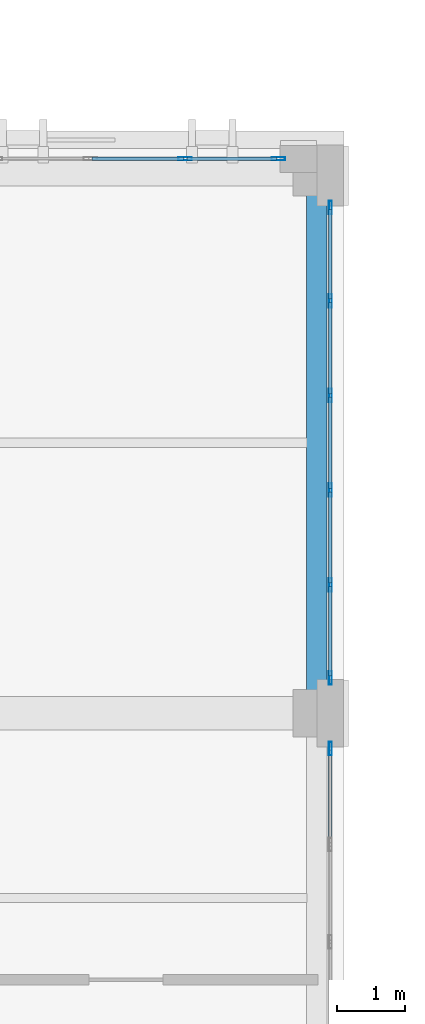
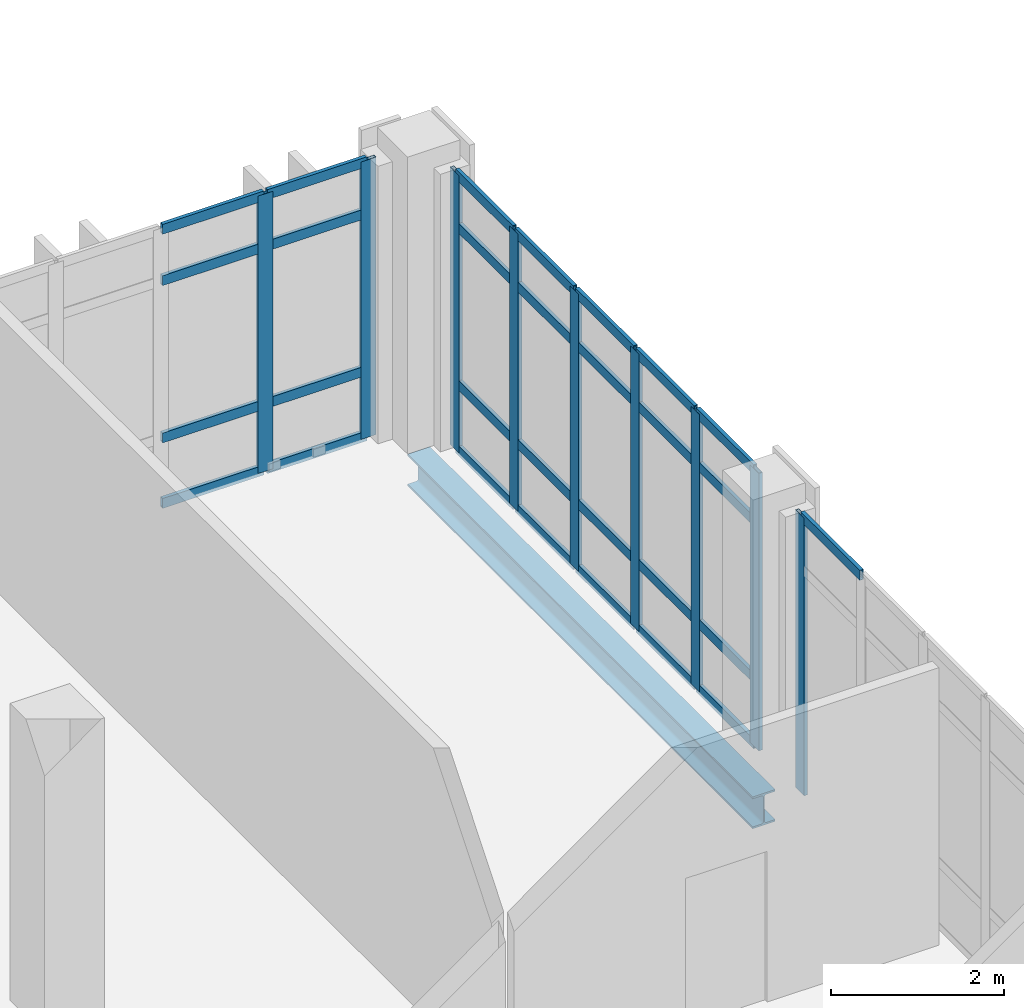
# One storey, part 53 of 158: 38 members, 1 beam, 3 elements without a shape of their own.
"""IFC4 building model written with IfcOpenShell, lengths in metres."""

from ifc_helpers import new_model, si_unit, direction, frame, origin, origin_2d, place, context, subcontext, project, spatial, hollow_rectangle, i_section, extrude, material, layer, layer_set, material_profile, profile_set, type_object, element, aggregate, save


model = new_model("IFC4")

# Units and contexts
model_context = context("Model", 3, precision=1e-05, world=origin(), true_north=direction((0.0, 1.0)))
body_context = subcontext(model_context, "Body", "Model", "MODEL_VIEW")
ifc_project = project(units=[si_unit("LENGTHUNIT", "METRE"), si_unit("AREAUNIT", "SQUARE_METRE"), si_unit("VOLUMEUNIT", "CUBIC_METRE"), si_unit("PLANEANGLEUNIT", "RADIAN"), si_unit("MASSUNIT", "GRAM", prefix="KILO")], contexts=[model_context])

# Site, building, storey
site_placement = place(None, origin())
site = spatial("IfcSite", under=ifc_project, at=site_placement, CompositionType="ELEMENT")
building_placement = place(site_placement, origin())
building = spatial("IfcBuilding", under=site, at=building_placement, Name="Qalavern Law Courts", CompositionType="ELEMENT")
storey_placement = place(building_placement, frame((0.0, 0.0, 18.60009765625)))
storey = spatial("IfcBuildingStorey", under=building, at=storey_placement, Name="L04", CompositionType="ELEMENT", Elevation=18.60009765625)

# Curtain wall, member
ifc_material_1 = material(Name="Anodised aluminium and insulated glazing", Category="aluminium")
ifc_layer = layer(ifc_material_1, 0.18505859375)
ifc_layer_set = layer_set([ifc_layer], Name="Anodised aluminium and insulated glazing")
curtain_wall_type = type_object("IfcCurtainWallType", Name="ENV-CW-HALL", PredefinedType="USERDEFINED", material=ifc_layer_set)
curtain_wall_1_placement = place(storey_placement, origin())
curtain_wall_1 = element("IfcCurtainWall", 1, at=curtain_wall_1_placement, inside=storey, type_object=curtain_wall_type, Name="V2 unitised curtain wall L04 east 2", ObjectType="UNITISED CURTAIN WALL", PredefinedType="USERDEFINED")
ifc_material_2 = material(Name="Anodised aluminium", Category="aluminium")
ifc_material_profile_1 = material_profile(ifc_material_2, hollow_rectangle(XDim=0.048095703125, YDim=0.199951171875, WallThickness=0.00439453125, at=origin_2d()), Name="ALU MULLION 48x200")
ifc_profile_set_1 = profile_set([ifc_material_profile_1], Name="Anodised aluminium")
member_type_1 = type_object("IfcMemberType", Name="ENV-CWM-48x200", PredefinedType="MULLION", material=ifc_profile_set_1)
member_1_placement = place(storey_placement, frame((101.0, 21.47607421875, 0.0), z_axis=(0.0, 0.0, 1.0), x_axis=(-1.0, 0.0, 0.0)))
member_1 = element("IfcMember", 2, at=member_1_placement, type_object=member_type_1, Name="CW-02 mullion 6", PredefinedType="MULLION", context=body_context, shape_type="SweptSolid", body=[
    extrude(hollow_rectangle(XDim=0.048095703125, YDim=0.199951171875, WallThickness=0.00439453125, at=origin_2d()), origin(), (0.0, 0.0, 1.0), 3.9248046875),
])

# Curtain wall, members
curtain_wall_2_placement = place(storey_placement, origin())
curtain_wall_2 = element("IfcCurtainWall", 3, at=curtain_wall_2_placement, inside=storey, type_object=curtain_wall_type, Name="V2 unitised curtain wall L04 east 3", ObjectType="UNITISED CURTAIN WALL", PredefinedType="USERDEFINED")
member_2_placement = place(storey_placement, frame((101.0, 22.52392578125, 0.0), z_axis=(0.0, 0.0, 1.0), x_axis=(-1.0, 0.0, 0.0)))
member_2 = element("IfcMember", 4, at=member_2_placement, type_object=member_type_1, Name="CW-02 mullion 1", PredefinedType="MULLION", context=body_context, shape_type="SweptSolid", body=[
    extrude(hollow_rectangle(XDim=0.048095703125, YDim=0.199951171875, WallThickness=0.00439453125, at=origin_2d()), origin(), (0.0, 0.0, 1.0), 3.9248046875),
])
member_3_placement = place(storey_placement, frame((101.0, 23.89990234375, 0.0), z_axis=(0.0, 0.0, 1.0), x_axis=(-1.0, 0.0, 0.0)))
member_3 = element("IfcMember", 5, at=member_3_placement, type_object=member_type_1, Name="CW-02 mullion 2", PredefinedType="MULLION", context=body_context, shape_type="SweptSolid", body=[
    extrude(hollow_rectangle(XDim=0.048095703125, YDim=0.199951171875, WallThickness=0.00439453125, at=origin_2d()), origin(), (0.0, 0.0, 1.0), 3.9248046875),
])
member_4_placement = place(storey_placement, frame((101.0, 25.300048828125, 0.0), z_axis=(0.0, 0.0, 1.0), x_axis=(-1.0, 0.0, 0.0)))
member_4 = element("IfcMember", 6, at=member_4_placement, type_object=member_type_1, Name="CW-02 mullion 3", PredefinedType="MULLION", context=body_context, shape_type="SweptSolid", body=[
    extrude(hollow_rectangle(XDim=0.048095703125, YDim=0.199951171875, WallThickness=0.00439453125, at=origin_2d()), origin(), (0.0, 0.0, 1.0), 3.9248046875),
])
member_5_placement = place(storey_placement, frame((101.0, 26.699951171875, 0.0), z_axis=(0.0, 0.0, 1.0), x_axis=(-1.0, 0.0, 0.0)))
member_5 = element("IfcMember", 7, at=member_5_placement, type_object=member_type_1, Name="CW-02 mullion 4", PredefinedType="MULLION", context=body_context, shape_type="SweptSolid", body=[
    extrude(hollow_rectangle(XDim=0.048095703125, YDim=0.199951171875, WallThickness=0.00439453125, at=origin_2d()), origin(), (0.0, 0.0, 1.0), 3.9248046875),
])
member_6_placement = place(storey_placement, frame((101.0, 28.10009765625, 0.0), z_axis=(0.0, 0.0, 1.0), x_axis=(-1.0, 0.0, 0.0)))
member_6 = element("IfcMember", 8, at=member_6_placement, type_object=member_type_1, Name="CW-02 mullion 5", PredefinedType="MULLION", context=body_context, shape_type="SweptSolid", body=[
    extrude(hollow_rectangle(XDim=0.048095703125, YDim=0.199951171875, WallThickness=0.00439453125, at=origin_2d()), origin(), (0.0, 0.0, 1.0), 3.9248046875),
])
member_7_placement = place(storey_placement, frame((101.0, 29.47607421875, 0.0), z_axis=(0.0, 0.0, 1.0), x_axis=(-1.0, 0.0, 0.0)))
member_7 = element("IfcMember", 9, at=member_7_placement, type_object=member_type_1, Name="CW-02 mullion 6", PredefinedType="MULLION", context=body_context, shape_type="SweptSolid", body=[
    extrude(hollow_rectangle(XDim=0.048095703125, YDim=0.199951171875, WallThickness=0.00439453125, at=origin_2d()), origin(), (0.0, 0.0, 1.0), 3.9248046875),
])

curtain_wall_3_placement = place(storey_placement, origin())
curtain_wall_3 = element("IfcCurtainWall", 10, at=curtain_wall_3_placement, inside=storey, type_object=curtain_wall_type, Name="V2 unitised curtain wall L04 north 1", ObjectType="UNITISED CURTAIN WALL", PredefinedType="USERDEFINED")
member_8_placement = place(storey_placement, frame((100.23095703125, 30.199951171875, 0.0), z_axis=(0.0, 0.0, 1.0), x_axis=(0.0, -1.0, 0.0)))
member_8 = element("IfcMember", 11, at=member_8_placement, type_object=member_type_1, Name="CW-02 mullion 1", PredefinedType="MULLION", context=body_context, shape_type="SweptSolid", body=[
    extrude(hollow_rectangle(XDim=0.048095703125, YDim=0.199951171875, WallThickness=0.00439453125, at=origin_2d()), origin(), (0.0, 0.0, 1.0), 3.9248046875),
])
member_9_placement = place(storey_placement, frame((98.853515625, 30.199951171875, 0.0), z_axis=(0.0, 0.0, 1.0), x_axis=(0.0, -1.0, 0.0)))
member_9 = element("IfcMember", 12, at=member_9_placement, type_object=member_type_1, Name="CW-02 mullion 2", PredefinedType="MULLION", context=body_context, shape_type="SweptSolid", body=[
    extrude(hollow_rectangle(XDim=0.048095703125, YDim=0.199951171875, WallThickness=0.00439453125, at=origin_2d()), origin(), (0.0, 0.0, 1.0), 3.9248046875),
])

# Member
ifc_material_profile_2 = material_profile(ifc_material_2, hollow_rectangle(XDim=0.048095703125, YDim=0.139892578125, WallThickness=0.00390625, at=origin_2d()), Name="ALU TRANSOM 48x140")
ifc_profile_set_2 = profile_set([ifc_material_profile_2], Name="Anodised aluminium")
member_type_2 = type_object("IfcMemberType", Name="ENV-CWT-48x140", PredefinedType="USERDEFINED", material=ifc_profile_set_2)
member_10_placement = place(storey_placement, frame((101.0, 20.083984375, 3.90087890625), z_axis=(0.0, 1.0, 0.0), x_axis=(-1.0, 0.0, 0.0)))
member_10 = element("IfcMember", 13, at=member_10_placement, type_object=member_type_2, Name="CW-02 transom 5.4", ObjectType="TRANSOM", PredefinedType="USERDEFINED", context=body_context, shape_type="SweptSolid", body=[
    extrude(hollow_rectangle(XDim=0.048095703125, YDim=0.139892578125, WallThickness=0.00390625, at=origin_2d()), origin(), (0.0, 0.0, 1.0), 1.367919921875),
])

aggregate(curtain_wall_1, [member_1, member_10])

member_11_placement = place(storey_placement, frame((101.0, 22.548095703125, 0.02392578125), z_axis=(0.0, 1.0, 0.0), x_axis=(-1.0, 0.0, 0.0)))
member_11 = element("IfcMember", 14, at=member_11_placement, type_object=member_type_2, Name="CW-02 transom 1.1", ObjectType="TRANSOM", PredefinedType="USERDEFINED", context=body_context, shape_type="SweptSolid", body=[
    extrude(hollow_rectangle(XDim=0.048095703125, YDim=0.139892578125, WallThickness=0.00390625, at=origin_2d()), origin(), (0.0, 0.0, 1.0), 1.327880859375),
])

member_12_placement = place(storey_placement, frame((101.0, 22.548095703125, 0.949951171875), z_axis=(0.0, 1.0, 0.0), x_axis=(-1.0, 0.0, 0.0)))
member_12 = element("IfcMember", 15, at=member_12_placement, type_object=member_type_2, Name="CW-02 transom 1.2", ObjectType="TRANSOM", PredefinedType="USERDEFINED", context=body_context, shape_type="SweptSolid", body=[
    extrude(hollow_rectangle(XDim=0.048095703125, YDim=0.139892578125, WallThickness=0.00390625, at=origin_2d()), origin(), (0.0, 0.0, 1.0), 1.327880859375),
])

member_13_placement = place(storey_placement, frame((101.0, 22.548095703125, 3.1748046875), z_axis=(0.0, 1.0, 0.0), x_axis=(-1.0, 0.0, 0.0)))
member_13 = element("IfcMember", 16, at=member_13_placement, type_object=member_type_2, Name="CW-02 transom 1.3", ObjectType="TRANSOM", PredefinedType="USERDEFINED", context=body_context, shape_type="SweptSolid", body=[
    extrude(hollow_rectangle(XDim=0.048095703125, YDim=0.139892578125, WallThickness=0.00390625, at=origin_2d()), origin(), (0.0, 0.0, 1.0), 1.327880859375),
])

member_14_placement = place(storey_placement, frame((101.0, 22.548095703125, 3.90087890625), z_axis=(0.0, 1.0, 0.0), x_axis=(-1.0, 0.0, 0.0)))
member_14 = element("IfcMember", 17, at=member_14_placement, type_object=member_type_2, Name="CW-02 transom 1.4", ObjectType="TRANSOM", PredefinedType="USERDEFINED", context=body_context, shape_type="SweptSolid", body=[
    extrude(hollow_rectangle(XDim=0.048095703125, YDim=0.139892578125, WallThickness=0.00390625, at=origin_2d()), origin(), (0.0, 0.0, 1.0), 1.327880859375),
])

member_15_placement = place(storey_placement, frame((101.0, 23.924072265625, 0.02392578125), z_axis=(0.0, 1.0, 0.0), x_axis=(-1.0, 0.0, 0.0)))
member_15 = element("IfcMember", 18, at=member_15_placement, type_object=member_type_2, Name="CW-02 transom 2.1", ObjectType="TRANSOM", PredefinedType="USERDEFINED", context=body_context, shape_type="SweptSolid", body=[
    extrude(hollow_rectangle(XDim=0.048095703125, YDim=0.139892578125, WallThickness=0.00390625, at=origin_2d()), origin(), (0.0, 0.0, 1.0), 1.351806640625),
])

member_16_placement = place(storey_placement, frame((101.0, 23.924072265625, 0.949951171875), z_axis=(0.0, 1.0, 0.0), x_axis=(-1.0, 0.0, 0.0)))
member_16 = element("IfcMember", 19, at=member_16_placement, type_object=member_type_2, Name="CW-02 transom 2.2", ObjectType="TRANSOM", PredefinedType="USERDEFINED", context=body_context, shape_type="SweptSolid", body=[
    extrude(hollow_rectangle(XDim=0.048095703125, YDim=0.139892578125, WallThickness=0.00390625, at=origin_2d()), origin(), (0.0, 0.0, 1.0), 1.351806640625),
])

member_17_placement = place(storey_placement, frame((101.0, 23.924072265625, 3.1748046875), z_axis=(0.0, 1.0, 0.0), x_axis=(-1.0, 0.0, 0.0)))
member_17 = element("IfcMember", 20, at=member_17_placement, type_object=member_type_2, Name="CW-02 transom 2.3", ObjectType="TRANSOM", PredefinedType="USERDEFINED", context=body_context, shape_type="SweptSolid", body=[
    extrude(hollow_rectangle(XDim=0.048095703125, YDim=0.139892578125, WallThickness=0.00390625, at=origin_2d()), origin(), (0.0, 0.0, 1.0), 1.351806640625),
])

member_18_placement = place(storey_placement, frame((101.0, 23.924072265625, 3.90087890625), z_axis=(0.0, 1.0, 0.0), x_axis=(-1.0, 0.0, 0.0)))
member_18 = element("IfcMember", 21, at=member_18_placement, type_object=member_type_2, Name="CW-02 transom 2.4", ObjectType="TRANSOM", PredefinedType="USERDEFINED", context=body_context, shape_type="SweptSolid", body=[
    extrude(hollow_rectangle(XDim=0.048095703125, YDim=0.139892578125, WallThickness=0.00390625, at=origin_2d()), origin(), (0.0, 0.0, 1.0), 1.351806640625),
])

member_19_placement = place(storey_placement, frame((101.0, 25.323974609375, 0.02392578125), z_axis=(0.0, 1.0, 0.0), x_axis=(-1.0, 0.0, 0.0)))
member_19 = element("IfcMember", 22, at=member_19_placement, type_object=member_type_2, Name="CW-02 transom 3.1", ObjectType="TRANSOM", PredefinedType="USERDEFINED", context=body_context, shape_type="SweptSolid", body=[
    extrude(hollow_rectangle(XDim=0.048095703125, YDim=0.139892578125, WallThickness=0.00390625, at=origin_2d()), origin(), (0.0, 0.0, 1.0), 1.35205078125),
])

member_20_placement = place(storey_placement, frame((101.0, 25.323974609375, 0.949951171875), z_axis=(0.0, 1.0, 0.0), x_axis=(-1.0, 0.0, 0.0)))
member_20 = element("IfcMember", 23, at=member_20_placement, type_object=member_type_2, Name="CW-02 transom 3.2", ObjectType="TRANSOM", PredefinedType="USERDEFINED", context=body_context, shape_type="SweptSolid", body=[
    extrude(hollow_rectangle(XDim=0.048095703125, YDim=0.139892578125, WallThickness=0.00390625, at=origin_2d()), origin(), (0.0, 0.0, 1.0), 1.35205078125),
])

member_21_placement = place(storey_placement, frame((101.0, 25.323974609375, 3.1748046875), z_axis=(0.0, 1.0, 0.0), x_axis=(-1.0, 0.0, 0.0)))
member_21 = element("IfcMember", 24, at=member_21_placement, type_object=member_type_2, Name="CW-02 transom 3.3", ObjectType="TRANSOM", PredefinedType="USERDEFINED", context=body_context, shape_type="SweptSolid", body=[
    extrude(hollow_rectangle(XDim=0.048095703125, YDim=0.139892578125, WallThickness=0.00390625, at=origin_2d()), origin(), (0.0, 0.0, 1.0), 1.35205078125),
])

member_22_placement = place(storey_placement, frame((101.0, 25.323974609375, 3.90087890625), z_axis=(0.0, 1.0, 0.0), x_axis=(-1.0, 0.0, 0.0)))
member_22 = element("IfcMember", 25, at=member_22_placement, type_object=member_type_2, Name="CW-02 transom 3.4", ObjectType="TRANSOM", PredefinedType="USERDEFINED", context=body_context, shape_type="SweptSolid", body=[
    extrude(hollow_rectangle(XDim=0.048095703125, YDim=0.139892578125, WallThickness=0.00390625, at=origin_2d()), origin(), (0.0, 0.0, 1.0), 1.35205078125),
])

member_23_placement = place(storey_placement, frame((101.0, 26.72412109375, 0.02392578125), z_axis=(0.0, 1.0, 0.0), x_axis=(-1.0, 0.0, 0.0)))
member_23 = element("IfcMember", 26, at=member_23_placement, type_object=member_type_2, Name="CW-02 transom 4.1", ObjectType="TRANSOM", PredefinedType="USERDEFINED", context=body_context, shape_type="SweptSolid", body=[
    extrude(hollow_rectangle(XDim=0.048095703125, YDim=0.139892578125, WallThickness=0.00390625, at=origin_2d()), origin(), (0.0, 0.0, 1.0), 1.351806640625),
])

member_24_placement = place(storey_placement, frame((101.0, 26.72412109375, 0.949951171875), z_axis=(0.0, 1.0, 0.0), x_axis=(-1.0, 0.0, 0.0)))
member_24 = element("IfcMember", 27, at=member_24_placement, type_object=member_type_2, Name="CW-02 transom 4.2", ObjectType="TRANSOM", PredefinedType="USERDEFINED", context=body_context, shape_type="SweptSolid", body=[
    extrude(hollow_rectangle(XDim=0.048095703125, YDim=0.139892578125, WallThickness=0.00390625, at=origin_2d()), origin(), (0.0, 0.0, 1.0), 1.351806640625),
])

member_25_placement = place(storey_placement, frame((101.0, 26.72412109375, 3.1748046875), z_axis=(0.0, 1.0, 0.0), x_axis=(-1.0, 0.0, 0.0)))
member_25 = element("IfcMember", 28, at=member_25_placement, type_object=member_type_2, Name="CW-02 transom 4.3", ObjectType="TRANSOM", PredefinedType="USERDEFINED", context=body_context, shape_type="SweptSolid", body=[
    extrude(hollow_rectangle(XDim=0.048095703125, YDim=0.139892578125, WallThickness=0.00390625, at=origin_2d()), origin(), (0.0, 0.0, 1.0), 1.351806640625),
])

member_26_placement = place(storey_placement, frame((101.0, 26.72412109375, 3.90087890625), z_axis=(0.0, 1.0, 0.0), x_axis=(-1.0, 0.0, 0.0)))
member_26 = element("IfcMember", 29, at=member_26_placement, type_object=member_type_2, Name="CW-02 transom 4.4", ObjectType="TRANSOM", PredefinedType="USERDEFINED", context=body_context, shape_type="SweptSolid", body=[
    extrude(hollow_rectangle(XDim=0.048095703125, YDim=0.139892578125, WallThickness=0.00390625, at=origin_2d()), origin(), (0.0, 0.0, 1.0), 1.351806640625),
])

member_27_placement = place(storey_placement, frame((101.0, 28.1240234375, 0.02392578125), z_axis=(0.0, 1.0, 0.0), x_axis=(-1.0, 0.0, 0.0)))
member_27 = element("IfcMember", 30, at=member_27_placement, type_object=member_type_2, Name="CW-02 transom 5.1", ObjectType="TRANSOM", PredefinedType="USERDEFINED", context=body_context, shape_type="SweptSolid", body=[
    extrude(hollow_rectangle(XDim=0.048095703125, YDim=0.139892578125, WallThickness=0.00390625, at=origin_2d()), origin(), (0.0, 0.0, 1.0), 1.327880859375),
])

member_28_placement = place(storey_placement, frame((101.0, 28.1240234375, 0.949951171875), z_axis=(0.0, 1.0, 0.0), x_axis=(-1.0, 0.0, 0.0)))
member_28 = element("IfcMember", 31, at=member_28_placement, type_object=member_type_2, Name="CW-02 transom 5.2", ObjectType="TRANSOM", PredefinedType="USERDEFINED", context=body_context, shape_type="SweptSolid", body=[
    extrude(hollow_rectangle(XDim=0.048095703125, YDim=0.139892578125, WallThickness=0.00390625, at=origin_2d()), origin(), (0.0, 0.0, 1.0), 1.327880859375),
])

member_29_placement = place(storey_placement, frame((101.0, 28.1240234375, 3.1748046875), z_axis=(0.0, 1.0, 0.0), x_axis=(-1.0, 0.0, 0.0)))
member_29 = element("IfcMember", 32, at=member_29_placement, type_object=member_type_2, Name="CW-02 transom 5.3", ObjectType="TRANSOM", PredefinedType="USERDEFINED", context=body_context, shape_type="SweptSolid", body=[
    extrude(hollow_rectangle(XDim=0.048095703125, YDim=0.139892578125, WallThickness=0.00390625, at=origin_2d()), origin(), (0.0, 0.0, 1.0), 1.327880859375),
])

member_30_placement = place(storey_placement, frame((101.0, 28.1240234375, 3.90087890625), z_axis=(0.0, 1.0, 0.0), x_axis=(-1.0, 0.0, 0.0)))
member_30 = element("IfcMember", 33, at=member_30_placement, type_object=member_type_2, Name="CW-02 transom 5.4", ObjectType="TRANSOM", PredefinedType="USERDEFINED", context=body_context, shape_type="SweptSolid", body=[
    extrude(hollow_rectangle(XDim=0.048095703125, YDim=0.139892578125, WallThickness=0.00390625, at=origin_2d()), origin(), (0.0, 0.0, 1.0), 1.327880859375),
])

aggregate(curtain_wall_2, [member_2, member_3, member_4, member_5, member_6, member_7, member_11, member_12, member_13, member_14, member_15, member_16, member_17, member_18, member_19, member_20, member_21, member_22, member_23, member_24, member_25, member_26, member_27, member_28, member_29, member_30])

member_31_placement = place(storey_placement, frame((100.20703125, 30.199951171875, 0.02392578125), z_axis=(-1.0, 0.0, 0.0), x_axis=(0.0, -1.0, 0.0)))
member_31 = element("IfcMember", 34, at=member_31_placement, type_object=member_type_2, Name="CW-02 transom 1.1", ObjectType="TRANSOM", PredefinedType="USERDEFINED", context=body_context, shape_type="SweptSolid", body=[
    extrude(hollow_rectangle(XDim=0.048095703125, YDim=0.139892578125, WallThickness=0.00390625, at=origin_2d()), origin(), (0.0, 0.0, 1.0), 1.32958984375),
])

member_32_placement = place(storey_placement, frame((100.20703125, 30.199951171875, 0.949951171875), z_axis=(-1.0, 0.0, 0.0), x_axis=(0.0, -1.0, 0.0)))
member_32 = element("IfcMember", 35, at=member_32_placement, type_object=member_type_2, Name="CW-02 transom 1.2", ObjectType="TRANSOM", PredefinedType="USERDEFINED", context=body_context, shape_type="SweptSolid", body=[
    extrude(hollow_rectangle(XDim=0.048095703125, YDim=0.139892578125, WallThickness=0.00390625, at=origin_2d()), origin(), (0.0, 0.0, 1.0), 1.32958984375),
])

member_33_placement = place(storey_placement, frame((100.20703125, 30.199951171875, 3.1748046875), z_axis=(-1.0, 0.0, 0.0), x_axis=(0.0, -1.0, 0.0)))
member_33 = element("IfcMember", 36, at=member_33_placement, type_object=member_type_2, Name="CW-02 transom 1.3", ObjectType="TRANSOM", PredefinedType="USERDEFINED", context=body_context, shape_type="SweptSolid", body=[
    extrude(hollow_rectangle(XDim=0.048095703125, YDim=0.139892578125, WallThickness=0.00390625, at=origin_2d()), origin(), (0.0, 0.0, 1.0), 1.32958984375),
])

member_34_placement = place(storey_placement, frame((100.20703125, 30.199951171875, 3.90087890625), z_axis=(-1.0, 0.0, 0.0), x_axis=(0.0, -1.0, 0.0)))
member_34 = element("IfcMember", 37, at=member_34_placement, type_object=member_type_2, Name="CW-02 transom 1.4", ObjectType="TRANSOM", PredefinedType="USERDEFINED", context=body_context, shape_type="SweptSolid", body=[
    extrude(hollow_rectangle(XDim=0.048095703125, YDim=0.139892578125, WallThickness=0.00390625, at=origin_2d()), origin(), (0.0, 0.0, 1.0), 1.32958984375),
])

member_35_placement = place(storey_placement, frame((98.829345703125, 30.199951171875, 0.02392578125), z_axis=(-1.0, 0.0, 0.0), x_axis=(0.0, -1.0, 0.0)))
member_35 = element("IfcMember", 38, at=member_35_placement, type_object=member_type_2, Name="CW-02 transom 2.1", ObjectType="TRANSOM", PredefinedType="USERDEFINED", context=body_context, shape_type="SweptSolid", body=[
    extrude(hollow_rectangle(XDim=0.048095703125, YDim=0.139892578125, WallThickness=0.00390625, at=origin_2d()), origin(), (0.0, 0.0, 1.0), 1.353515625),
])

member_36_placement = place(storey_placement, frame((98.829345703125, 30.199951171875, 0.949951171875), z_axis=(-1.0, 0.0, 0.0), x_axis=(0.0, -1.0, 0.0)))
member_36 = element("IfcMember", 39, at=member_36_placement, type_object=member_type_2, Name="CW-02 transom 2.2", ObjectType="TRANSOM", PredefinedType="USERDEFINED", context=body_context, shape_type="SweptSolid", body=[
    extrude(hollow_rectangle(XDim=0.048095703125, YDim=0.139892578125, WallThickness=0.00390625, at=origin_2d()), origin(), (0.0, 0.0, 1.0), 1.353515625),
])

member_37_placement = place(storey_placement, frame((98.829345703125, 30.199951171875, 3.1748046875), z_axis=(-1.0, 0.0, 0.0), x_axis=(0.0, -1.0, 0.0)))
member_37 = element("IfcMember", 40, at=member_37_placement, type_object=member_type_2, Name="CW-02 transom 2.3", ObjectType="TRANSOM", PredefinedType="USERDEFINED", context=body_context, shape_type="SweptSolid", body=[
    extrude(hollow_rectangle(XDim=0.048095703125, YDim=0.139892578125, WallThickness=0.00390625, at=origin_2d()), origin(), (0.0, 0.0, 1.0), 1.353515625),
])

member_38_placement = place(storey_placement, frame((98.829345703125, 30.199951171875, 3.90087890625), z_axis=(-1.0, 0.0, 0.0), x_axis=(0.0, -1.0, 0.0)))
member_38 = element("IfcMember", 41, at=member_38_placement, type_object=member_type_2, Name="CW-02 transom 2.4", ObjectType="TRANSOM", PredefinedType="USERDEFINED", context=body_context, shape_type="SweptSolid", body=[
    extrude(hollow_rectangle(XDim=0.048095703125, YDim=0.139892578125, WallThickness=0.00390625, at=origin_2d()), origin(), (0.0, 0.0, 1.0), 1.353515625),
])

aggregate(curtain_wall_3, [member_8, member_9, member_31, member_32, member_33, member_34, member_35, member_36, member_37, member_38])

# Beam
ifc_material_3 = material(Name="Steel S355", Category="steel")
ifc_material_profile_3 = material_profile(ifc_material_3, i_section(OverallWidth=0.300048828125, OverallDepth=0.449951171875, WebThickness=0.013916015625, FlangeThickness=0.02587890625, FilletRadius=0.027099609375, at=origin_2d()), Name="HEB 450")
ifc_profile_set_3 = profile_set([ifc_material_profile_3], Name="Steel S355")
beam_type = type_object("IfcBeamType", Name="STR-SP-HEB450", PredefinedType="SPANDREL", material=ifc_profile_set_3)
beam_placement = place(storey_placement, frame((100.800048828125, 22.0, -0.505126953125), z_axis=(0.0, 1.0, 0.0), x_axis=(-1.0, 0.0, 0.0)))
element("IfcBeam", 42, at=beam_placement, inside=storey, type_object=beam_type, Name="V2 Y-beam 8-3 L04", PredefinedType="SPANDREL", context=body_context, shape_type="SweptSolid", body=[
    extrude(i_section(OverallWidth=0.300048828125, OverallDepth=0.449951171875, WebThickness=0.013916015625, FlangeThickness=0.02587890625, FilletRadius=0.027099609375, at=origin_2d()), origin(), (0.0, 0.0, 1.0), 8.0),
])

save(model, "model.ifc")
